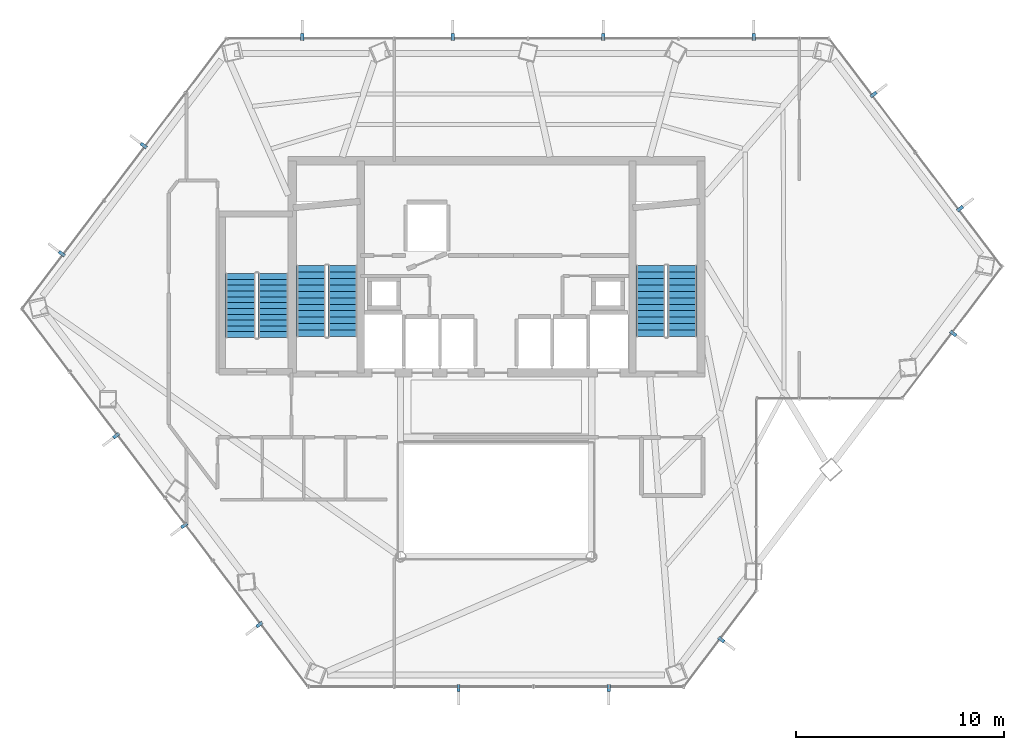
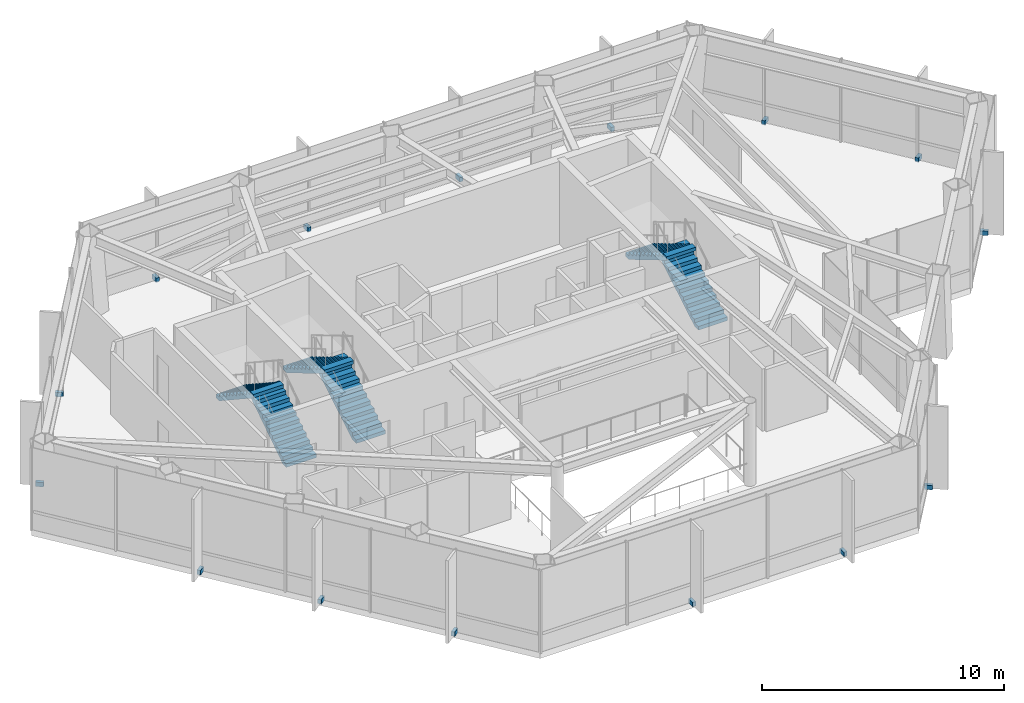
# One storey, part 24 of 25: 15 discrete accessories, 6 stair flights, 3 elements without a shape of their own.
"""IFC4 building model written with IfcOpenShell, lengths in metres."""

import ifcopenshell
import ifcopenshell.guid

model = None  # the IFC model being written
_history = None  # IfcOwnerHistory: only IFC2X3 demands one
_inside = {}  # id of a spatial element -> (the spatial element, [elements in it])
_under = {}  # id of a project, library or spatial element -> (it, [spatial elements below it])
_declared = {}  # id of a project -> (the project, [libraries it declares])
_typed = {}  # id of a type object -> (the type object, [elements of that type])
_made_of = {}  # id of a material, layer set ... -> (it, [elements and type objects made of it])


def new_model(schema):
    """Start an empty IFC model of exactly this schema.

    Asked for "IFC4X3", IfcOpenShell would pick the latest addendum, in which some entities
    have other attributes; the version numbers below select the first issue.
    IFC2X3 requires an IfcOwnerHistory on every rooted entity: one is made here for all.
    """
    global model, _history
    if schema == "IFC4X3":
        model = ifcopenshell.file(schema_version=(4, 3, 0, 0))
    else:
        model = ifcopenshell.file(schema=schema)
    _inside.clear()
    _under.clear()
    _declared.clear()
    _typed.clear()
    _made_of.clear()
    _history = None
    if model.schema == "IFC2X3":
        org = make("IfcOrganization", Name="unknown")
        user = make(
            "IfcPersonAndOrganization",
            ThePerson=make("IfcPerson", FamilyName="unknown"),
            TheOrganization=org,
        )
        app = make(
            "IfcApplication",
            ApplicationDeveloper=org,
            Version="unknown",
            ApplicationFullName="unknown",
            ApplicationIdentifier="unknown",
        )
        _history = make(
            "IfcOwnerHistory",
            OwningUser=user,
            OwningApplication=app,
            ChangeAction="ADDED",
            CreationDate=0,
        )
    return model


def make(cls, **values):
    """One entity of the class cls with the attributes given. An attribute that is None is left unset."""
    return model.create_entity(
        cls, **{name: value for name, value in values.items() if value is not None}
    )


def rooted(cls, **values):
    """An entity with a GlobalId (a new one), such as an element, a storey or a relation."""
    return make(cls, GlobalId=ifcopenshell.guid.new(), OwnerHistory=_history, **values)


def si_unit(unit_type, name, prefix=None):
    """IfcSIUnit, for example si_unit("LENGTHUNIT", "METRE", prefix="MILLI")."""
    return make("IfcSIUnit", UnitType=unit_type, Prefix=prefix, Name=name)


def assignment(units):
    """IfcUnitAssignment: the units of a project."""
    return None if units is None else make("IfcUnitAssignment", Units=units)


def point(xyz):
    """IfcCartesianPoint."""
    return None if xyz is None else make("IfcCartesianPoint", Coordinates=xyz)


def direction(xyz):
    """IfcDirection."""
    return None if xyz is None else make("IfcDirection", DirectionRatios=xyz)


def frame(location, z_axis=None, x_axis=None):
    """IfcAxis2Placement3D, a coordinate frame: its origin and axes. An axis left out is left unset."""
    return make(
        "IfcAxis2Placement3D",
        Location=point(location),
        Axis=direction(z_axis),
        RefDirection=direction(x_axis),
    )


def frame_2d(location, x_axis=None):
    """IfcAxis2Placement2D, a coordinate frame in the plane: its origin and x axis."""
    return make(
        "IfcAxis2Placement2D", Location=point(location), RefDirection=direction(x_axis)
    )


def origin():
    """The frame at (0, 0, 0) with its axes left unset."""
    return frame((0.0, 0.0, 0.0))


def origin_2d():
    """The frame at (0, 0) in the plane with its x axis left unset."""
    return frame_2d((0.0, 0.0))


def place(relative_to, where):
    """IfcLocalPlacement: puts the frame where relative to a parent placement (None: the world)."""
    return make(
        "IfcLocalPlacement", PlacementRelTo=relative_to, RelativePlacement=where
    )


def context(
    kind, dimensions, precision=None, world=None, true_north=None, identifier=None
):
    """IfcGeometricRepresentationContext, for example the 3D "Model" context."""
    return make(
        "IfcGeometricRepresentationContext",
        ContextIdentifier=identifier,
        ContextType=kind,
        CoordinateSpaceDimension=dimensions,
        Precision=precision,
        WorldCoordinateSystem=world,
        TrueNorth=true_north,
    )


def subcontext(parent, identifier, kind, view, scale=None):
    """IfcGeometricRepresentationSubContext, for example "Body" below "Model"."""
    return make(
        "IfcGeometricRepresentationSubContext",
        ContextIdentifier=identifier,
        ContextType=kind,
        ParentContext=parent,
        TargetScale=scale,
        TargetView=view,
    )


def project(units=None, contexts=None):
    """IfcProject with its units and contexts."""
    return rooted(
        "IfcProject",
        Name="project",
        RepresentationContexts=contexts,
        UnitsInContext=assignment(units),
    )


def spatial(cls, under=None, at=None, **own):
    """A site, building, storey or space (cls), placed at a placement, below another one or the project."""
    s = rooted(cls, ObjectPlacement=at, **own)
    if under is not None:
        _under.setdefault(under.id(), (under, []))[1].append(s)
    return s


def polyline(points):
    """IfcPolyline through the points."""
    return make("IfcPolyline", Points=[point(p) for p in points])


def profile(cls, at=None, kind="AREA", **sizes):
    """A parametric profile (cls). Its sizes go by their IFC names, for example OverallWidth=200.0."""
    return make(cls, ProfileType=kind, Position=at, **sizes)


def rectangle(**sizes):
    """IfcRectangleProfileDef."""
    return profile("IfcRectangleProfileDef", **sizes)


def outline(outer, holes=None, kind="AREA"):
    """IfcArbitraryClosedProfileDef: a profile drawn as a closed curve; with holes, ...WithVoids."""
    if holes is None:
        return make("IfcArbitraryClosedProfileDef", ProfileType=kind, OuterCurve=outer)
    return make(
        "IfcArbitraryProfileDefWithVoids",
        ProfileType=kind,
        OuterCurve=outer,
        InnerCurves=holes,
    )


def extrude(swept, where, along, depth):
    """IfcExtrudedAreaSolid: the profile swept, set in the frame where, extruded along a direction by depth."""
    return make(
        "IfcExtrudedAreaSolid",
        SweptArea=swept,
        Position=where,
        ExtrudedDirection=direction(along),
        Depth=depth,
    )


def shape(context_of_items, identifier, shape_type, items):
    """IfcShapeRepresentation: the items that make up one representation, for example the "Body"."""
    return make(
        "IfcShapeRepresentation",
        ContextOfItems=context_of_items,
        RepresentationIdentifier=identifier,
        RepresentationType=shape_type,
        Items=items,
    )


def material(Name=None, Category=None):
    """IfcMaterial."""
    return make("IfcMaterial", Name=Name, Category=Category)


def made_of(thing, what):
    """Note that an element or type object is made of a material, layer set ...; save() writes the relation."""
    if what is not None:
        _made_of.setdefault(what.id(), (what, []))[1].append(thing)
    return thing


def type_object(cls, material=None, **own):
    """A type object (cls), such as IfcWallType, which elements share."""
    return made_of(rooted(cls, **own), material)


def element(
    cls,
    number,
    at=None,
    inside=None,
    cuts=None,
    type_object=None,
    material=None,
    context=None,
    identifier="Body",
    shape_type=None,
    held_by="IfcProductDefinitionShape",
    body=None,
    shapes=None,
    **own,
):
    """One element of the class cls, such as IfcWall. Its Tag is "e" and its number.

    at: its placement. inside: the storey or other place that contains it. cuts: it is an
    opening in that element (IfcRelVoidsElement). A single representation is given by context,
    identifier, shape_type and body (its items); several are given by shapes. held_by: the class
    of the entity that holds the representations. save() writes the other relations.
    """
    e = rooted(cls, Tag="e%d" % number, ObjectPlacement=at, **own)
    if body is not None:
        shapes = [shape(context, identifier, shape_type, body)]
    if shapes is not None:
        e.Representation = make(held_by, Representations=shapes)
    if inside is not None:
        _inside.setdefault(inside.id(), (inside, []))[1].append(e)
    if cuts is not None:
        rooted(
            "IfcRelVoidsElement", RelatingBuildingElement=cuts, RelatedOpeningElement=e
        )
    if type_object is not None:
        _typed.setdefault(type_object.id(), (type_object, []))[1].append(e)
    return made_of(e, material)


def aggregate(whole, parts):
    """IfcRelAggregates: a whole, such as a stair, and the parts it consists of."""
    return rooted("IfcRelAggregates", RelatingObject=whole, RelatedObjects=parts)


def save(model, path):
    """Write the relations noted so far, then the file.

    IfcRelAggregates (storeys below a building ...), IfcRelContainedInSpatialStructure (elements
    in a storey), IfcRelDefinesByType, IfcRelAssociatesMaterial and IfcRelDeclares: one each for
    every whole, place, type object, material and project.
    """
    for whole, parts in _under.values():
        aggregate(whole, parts)
    for where, things in _inside.values():
        rooted(
            "IfcRelContainedInSpatialStructure",
            RelatedElements=things,
            RelatingStructure=where,
        )
    for kind, things in _typed.values():
        rooted("IfcRelDefinesByType", RelatedObjects=things, RelatingType=kind)
    for what, things in _made_of.values():
        rooted("IfcRelAssociatesMaterial", RelatedObjects=things, RelatingMaterial=what)
    for by, libraries in _declared.values():
        rooted("IfcRelDeclares", RelatingContext=by, RelatedDefinitions=libraries)
    model.write(path)


model = new_model("IFC4")

# Units and contexts
model_context = context("Model", 3, precision=1e-05, world=origin(), true_north=direction((0.0, 1.0)))
body_context = subcontext(model_context, "Body", "Model", "MODEL_VIEW")
ifc_project = project(units=[si_unit("LENGTHUNIT", "METRE"), si_unit("AREAUNIT", "SQUARE_METRE"), si_unit("VOLUMEUNIT", "CUBIC_METRE"), si_unit("PLANEANGLEUNIT", "RADIAN"), si_unit("MASSUNIT", "GRAM", prefix="KILO")], contexts=[model_context])

# Site, building, storey
site_placement = place(None, origin())
site = spatial("IfcSite", under=ifc_project, at=site_placement, CompositionType="ELEMENT")
building_placement = place(site_placement, origin())
building = spatial("IfcBuilding", under=site, at=building_placement, Name="Zarrinselat Tower", CompositionType="ELEMENT")
storey_placement = place(building_placement, frame((0.0, 0.0, 119.0)))
storey = spatial("IfcBuildingStorey", under=building, at=storey_placement, Name="L28", CompositionType="ELEMENT", Elevation=119.0)

# Stair, stair flights
ifc_material_1 = material(Name="Concrete C40/50", Category="concrete")
stair_type_1 = type_object("IfcStairType", Name="STR-CORE-145", PredefinedType="HALF_TURN_STAIR", material=ifc_material_1)
stair_1_placement = place(storey_placement, origin())
stair_1 = element("IfcStair", 1, at=stair_1_placement, inside=storey, type_object=stair_type_1, Name="L28 Podium & Mid-Tower Exit Stair 3", PredefinedType="HALF_TURN_STAIR")
ifc_material_2 = material(Name="Concrete C40/50", Category="concrete")
stair_flight_type_1 = type_object("IfcStairFlightType", Name="STR-FLT-145", PredefinedType="STRAIGHT", material=ifc_material_2)
stair_flight_1_placement = place(storey_placement, frame((27.675048828125, 34.949951171875, 0.0), z_axis=(0.0, 0.0, 1.0), x_axis=(0.0, 1.0, 0.0)))
stair_flight_1 = element("IfcStairFlight", 2, at=stair_flight_1_placement, type_object=stair_flight_type_1, Name="ST-3 flight 1", NumberOfRisers=12, NumberOfTreads=11, PredefinedType="STRAIGHT", RiserHeight=0.184166667, TreadLength=0.28, context=body_context, shape_type="SweptSolid", body=[
    extrude(outline(polyline([(0.0, 0.0), (0.0, 0.18408203125), (0.280029296875, 0.18408203125), (0.280029296875, 0.368408203125), (0.56005859375, 0.368408203125), (0.56005859375, 0.552490234375), (0.840087890625, 0.552490234375), (0.840087890625, 0.736572265625), (1.1201171875, 0.736572265625), (1.1201171875, 0.9208984375), (1.39990234375, 0.9208984375), (1.39990234375, 1.10498046875), (1.679931640625, 1.10498046875), (1.679931640625, 1.2890625), (1.9599609375, 1.2890625), (1.9599609375, 1.473388671875), (2.239990234375, 1.473388671875), (2.239990234375, 1.657470703125), (2.52001953125, 1.657470703125), (2.52001953125, 1.841552734375), (2.800048828125, 1.841552734375), (2.800048828125, 2.02587890625), (3.080078125, 2.02587890625), (3.080078125, 2.2099609375), (3.080078125, 1.846435546875), (0.272705078125, 0.0), (0.0, 0.0)])), frame((0.0, 0.72509765625, 0.0), z_axis=(0.0, -1.0, 0.0), x_axis=(1.0, 0.0, 0.0)), (0.0, 0.0, 1.0), 1.449951171875),
])
stair_flight_2_placement = place(storey_placement, frame((26.10498046875, 38.030029296875, 2.2099609375), z_axis=(0.0, 0.0, 1.0), x_axis=(0.0, -1.0, 0.0)))
stair_flight_2 = element("IfcStairFlight", 3, at=stair_flight_2_placement, type_object=stair_flight_type_1, Name="ST-3 flight 2", NumberOfRisers=12, NumberOfTreads=11, PredefinedType="STRAIGHT", RiserHeight=0.184166667, TreadLength=0.28, context=body_context, shape_type="SweptSolid", body=[
    extrude(outline(polyline([(0.0, 0.0), (0.0, 0.18408203125), (0.280029296875, 0.18408203125), (0.280029296875, 0.368408203125), (0.56005859375, 0.368408203125), (0.56005859375, 0.552490234375), (0.840087890625, 0.552490234375), (0.840087890625, 0.736572265625), (1.1201171875, 0.736572265625), (1.1201171875, 0.9208984375), (1.39990234375, 0.9208984375), (1.39990234375, 1.10498046875), (1.679931640625, 1.10498046875), (1.679931640625, 1.2890625), (1.9599609375, 1.2890625), (1.9599609375, 1.473388671875), (2.239990234375, 1.473388671875), (2.239990234375, 1.657470703125), (2.52001953125, 1.657470703125), (2.52001953125, 1.841552734375), (2.800048828125, 1.841552734375), (2.800048828125, 2.02587890625), (3.080078125, 2.02587890625), (3.080078125, 2.2099609375), (3.080078125, 1.846435546875), (0.272705078125, 0.0), (0.0, 0.0)])), frame((0.0, 0.72509765625, 0.0), z_axis=(0.0, -1.0, 0.0), x_axis=(1.0, 0.0, 0.0)), (0.0, 0.0, 1.0), 1.449951171875),
])
aggregate(stair_1, [stair_flight_1, stair_flight_2])

ifc_material_3 = material(Name="Concrete C40/50", Category="concrete")
stair_type_2 = type_object("IfcStairType", Name="STR-CORE-155", PredefinedType="HALF_TURN_STAIR", material=ifc_material_3)
stair_2_placement = place(storey_placement, origin())
stair_2 = element("IfcStair", 4, at=stair_2_placement, inside=storey, type_object=stair_type_2, Name="L28 Core Exit Stair 1", PredefinedType="HALF_TURN_STAIR")
ifc_material_4 = material(Name="Concrete C40/50", Category="concrete")
stair_flight_type_2 = type_object("IfcStairFlightType", Name="STR-FLT-155", PredefinedType="STRAIGHT", material=ifc_material_4)
stair_flight_3_placement = place(storey_placement, frame((31.02001953125, 35.0, 0.0), z_axis=(0.0, 0.0, 1.0), x_axis=(0.0, 1.0, 0.0)))
stair_flight_3 = element("IfcStairFlight", 5, at=stair_flight_3_placement, type_object=stair_flight_type_2, Name="ST-1 flight 1", NumberOfRisers=12, NumberOfTreads=11, PredefinedType="STRAIGHT", RiserHeight=0.184166667, TreadLength=0.31, context=body_context, shape_type="SweptSolid", body=[
    extrude(outline(polyline([(0.0, 0.0), (0.0, 0.18408203125), (0.31005859375, 0.18408203125), (0.31005859375, 0.368408203125), (0.6201171875, 0.368408203125), (0.6201171875, 0.552490234375), (0.929931640625, 0.552490234375), (0.929931640625, 0.736572265625), (1.239990234375, 0.736572265625), (1.239990234375, 0.9208984375), (1.550048828125, 0.9208984375), (1.550048828125, 1.10498046875), (1.860107421875, 1.10498046875), (1.860107421875, 1.2890625), (2.169921875, 1.2890625), (2.169921875, 1.473388671875), (2.47998046875, 1.473388671875), (2.47998046875, 1.657470703125), (2.7900390625, 1.657470703125), (2.7900390625, 1.841552734375), (3.10009765625, 1.841552734375), (3.10009765625, 2.02587890625), (3.409912109375, 2.02587890625), (3.409912109375, 2.2099609375), (3.409912109375, 1.8515625), (0.29345703125, 0.0), (0.0, 0.0)])), frame((0.0, 0.699951171875, 0.0), z_axis=(0.0, -1.0, 0.0), x_axis=(1.0, 0.0, 0.0)), (0.0, 0.0, 1.0), 1.39990234375),
])
stair_flight_4_placement = place(storey_placement, frame((29.5, 38.409912109375, 2.2099609375), z_axis=(0.0, 0.0, 1.0), x_axis=(0.0, -1.0, 0.0)))
stair_flight_4 = element("IfcStairFlight", 6, at=stair_flight_4_placement, type_object=stair_flight_type_2, Name="ST-1 flight 2", NumberOfRisers=12, NumberOfTreads=11, PredefinedType="STRAIGHT", RiserHeight=0.184166667, TreadLength=0.31, context=body_context, shape_type="SweptSolid", body=[
    extrude(outline(polyline([(0.0, 0.0), (0.0, 0.18408203125), (0.31005859375, 0.18408203125), (0.31005859375, 0.368408203125), (0.6201171875, 0.368408203125), (0.6201171875, 0.552490234375), (0.929931640625, 0.552490234375), (0.929931640625, 0.736572265625), (1.239990234375, 0.736572265625), (1.239990234375, 0.9208984375), (1.550048828125, 0.9208984375), (1.550048828125, 1.10498046875), (1.860107421875, 1.10498046875), (1.860107421875, 1.2890625), (2.169921875, 1.2890625), (2.169921875, 1.473388671875), (2.47998046875, 1.473388671875), (2.47998046875, 1.657470703125), (2.7900390625, 1.657470703125), (2.7900390625, 1.841552734375), (3.10009765625, 1.841552734375), (3.10009765625, 2.02587890625), (3.409912109375, 2.02587890625), (3.409912109375, 2.2099609375), (3.409912109375, 1.8515625), (0.29345703125, 0.0), (0.0, 0.0)])), frame((0.0, 0.699951171875, 0.0), z_axis=(0.0, -1.0, 0.0), x_axis=(1.0, 0.0, 0.0)), (0.0, 0.0, 1.0), 1.39990234375),
])
aggregate(stair_2, [stair_flight_3, stair_flight_4])

stair_3_placement = place(storey_placement, origin())
stair_3 = element("IfcStair", 7, at=stair_3_placement, inside=storey, type_object=stair_type_2, Name="L28 Core Exit Stair 2", PredefinedType="HALF_TURN_STAIR")
stair_flight_5_placement = place(storey_placement, frame((47.360107421875, 35.0, 0.0), z_axis=(0.0, 0.0, 1.0), x_axis=(0.0, 1.0, 0.0)))
stair_flight_5 = element("IfcStairFlight", 8, at=stair_flight_5_placement, type_object=stair_flight_type_2, Name="ST-2 flight 1", NumberOfRisers=12, NumberOfTreads=11, PredefinedType="STRAIGHT", RiserHeight=0.184166667, TreadLength=0.31, context=body_context, shape_type="SweptSolid", body=[
    extrude(outline(polyline([(0.0, 0.0), (0.0, 0.18408203125), (0.31005859375, 0.18408203125), (0.31005859375, 0.368408203125), (0.6201171875, 0.368408203125), (0.6201171875, 0.552490234375), (0.929931640625, 0.552490234375), (0.929931640625, 0.736572265625), (1.239990234375, 0.736572265625), (1.239990234375, 0.9208984375), (1.550048828125, 0.9208984375), (1.550048828125, 1.10498046875), (1.860107421875, 1.10498046875), (1.860107421875, 1.2890625), (2.169921875, 1.2890625), (2.169921875, 1.473388671875), (2.47998046875, 1.473388671875), (2.47998046875, 1.657470703125), (2.7900390625, 1.657470703125), (2.7900390625, 1.841552734375), (3.10009765625, 1.841552734375), (3.10009765625, 2.02587890625), (3.409912109375, 2.02587890625), (3.409912109375, 2.2099609375), (3.409912109375, 1.8515625), (0.29345703125, 0.0), (0.0, 0.0)])), frame((0.0, 0.699951171875, 0.0), z_axis=(0.0, -1.0, 0.0), x_axis=(1.0, 0.0, 0.0)), (0.0, 0.0, 1.0), 1.39990234375),
])
stair_flight_6_placement = place(storey_placement, frame((45.840087890625, 38.409912109375, 2.2099609375), z_axis=(0.0, 0.0, 1.0), x_axis=(0.0, -1.0, 0.0)))
stair_flight_6 = element("IfcStairFlight", 9, at=stair_flight_6_placement, type_object=stair_flight_type_2, Name="ST-2 flight 2", NumberOfRisers=12, NumberOfTreads=11, PredefinedType="STRAIGHT", RiserHeight=0.184166667, TreadLength=0.31, context=body_context, shape_type="SweptSolid", body=[
    extrude(outline(polyline([(0.0, 0.0), (0.0, 0.18408203125), (0.31005859375, 0.18408203125), (0.31005859375, 0.368408203125), (0.6201171875, 0.368408203125), (0.6201171875, 0.552490234375), (0.929931640625, 0.552490234375), (0.929931640625, 0.736572265625), (1.239990234375, 0.736572265625), (1.239990234375, 0.9208984375), (1.550048828125, 0.9208984375), (1.550048828125, 1.10498046875), (1.860107421875, 1.10498046875), (1.860107421875, 1.2890625), (2.169921875, 1.2890625), (2.169921875, 1.473388671875), (2.47998046875, 1.473388671875), (2.47998046875, 1.657470703125), (2.7900390625, 1.657470703125), (2.7900390625, 1.841552734375), (3.10009765625, 1.841552734375), (3.10009765625, 2.02587890625), (3.409912109375, 2.02587890625), (3.409912109375, 2.2099609375), (3.409912109375, 1.8515625), (0.29345703125, 0.0), (0.0, 0.0)])), frame((0.0, 0.699951171875, 0.0), z_axis=(0.0, -1.0, 0.0), x_axis=(1.0, 0.0, 0.0)), (0.0, 0.0, 1.0), 1.39990234375),
])
aggregate(stair_3, [stair_flight_5, stair_flight_6])

# Discrete accessories
ifc_material_5 = material(Name="Steel S355J2", Category="steel")
discrete_accessory_type = type_object("IfcDiscreteAccessoryType", Name="ACC-FIN-BRACKET", PredefinedType="BRACKET", material=ifc_material_5)
for number, where, z_axis, x_axis, name in (
    (10, (43.8193359375, 18.0771484375, -0.0498046875), (0.0, 0.0, 1.0), (0.0, -1.0, 0.0), "L28 Fin Fixing Bracket CW-L28-E01-01"),
    (11, (36.593505859375, 18.0771484375, -0.0498046875), (0.0, 0.0, 1.0), (0.0, -1.0, 0.0), "L28 Fin Fixing Bracket CW-L28-E01-03"),
    (12, (27.015380859375, 21.135986328125, -0.0498046875), (0.0, 0.0, 1.0), (-0.79709189246, -0.603858025511, 0.0), "L28 Fin Fixing Bracket CW-L28-E02-01"),
    (13, (23.396484375, 25.913330078125, -0.0498046875), (0.0, 0.0, 1.0), (-0.79709189246, -0.603858025511, 0.0), "L28 Fin Fixing Bracket CW-L28-E02-03"),
    (14, (20.1259765625, 30.22998046875, -0.0498046875), (0.0, 0.0, 1.0), (-0.79709189246, -0.603858025511, 0.0), "L28 Fin Fixing Bracket CW-L28-E02-05"),
    (15, (17.504150390625, 38.979248046875, -0.0498046875), (0.0, 0.0, 1.0), (-0.797093041834, 0.603856508336, 0.0), "L28 Fin Fixing Bracket CW-L28-E03-01"),
    (16, (21.4462890625, 44.18310546875, -0.0498046875), (0.0, 0.0, 1.0), (-0.797093041834, 0.603856508336, 0.0), "L28 Fin Fixing Bracket CW-L28-E03-03"),
    (17, (29.067138671875, 49.414306640625, -0.0498046875), (0.0, 0.0, 1.0), (0.0, 1.0, 0.0), "L28 Fin Fixing Bracket CW-L28-E04-01"),
    (18, (36.3125, 49.414306640625, -0.0498046875), (0.0, 0.0, 1.0), (0.0, 1.0, 0.0), "L28 Fin Fixing Bracket CW-L28-E04-03"),
    (19, (43.55810546875, 49.414306640625, -0.0498046875), (0.0, 0.0, 1.0), (0.0, 1.0, 0.0), "L28 Fin Fixing Bracket CW-L28-E04-05"),
    (20, (50.8037109375, 49.414306640625, -0.0498046875), (0.0, 0.0, 1.0), (0.0, 1.0, 0.0), "L28 Fin Fixing Bracket CW-L28-E04-07"),
    (21, (56.56201171875, 46.64111328125, -0.0498046875), (0.0, 0.0, 1.0), (0.797093100885, 0.603856430388, 0.0), "L28 Fin Fixing Bracket CW-L28-E05-01"),
    (22, (60.72216796875, 41.149658203125, -0.0498046875), (0.0, 0.0, 1.0), (0.797093100885, 0.603856430388, 0.0), "L28 Fin Fixing Bracket CW-L28-E05-03"),
    (23, (60.398193359375, 35.14599609375, -0.0498046875), (0.0, 0.0, 1.0), (0.79709007765, -0.60386042105, 0.0), "L28 Fin Fixing Bracket CW-L28-E06-01"),
    (24, (49.23779296875, 20.414306640625, -0.0498046875), (0.0, 0.0, 1.0), (0.79709007765, -0.60386042105, 0.0), "L28 Fin Fixing Bracket CW-L28-E25-01"),
):
    element("IfcDiscreteAccessory", number, at=place(storey_placement, frame(where, z_axis=z_axis, x_axis=x_axis)), inside=storey, type_object=discrete_accessory_type, Name=name, PredefinedType="BRACKET", context=body_context, shape_type="SweptSolid", body=[
        extrude(rectangle(XDim=0.340087890625, YDim=0.159912109375, at=origin_2d()), origin(), (0.0, 0.0, 1.0), 0.219970703125),
    ])

save(model, "model.ifc")
